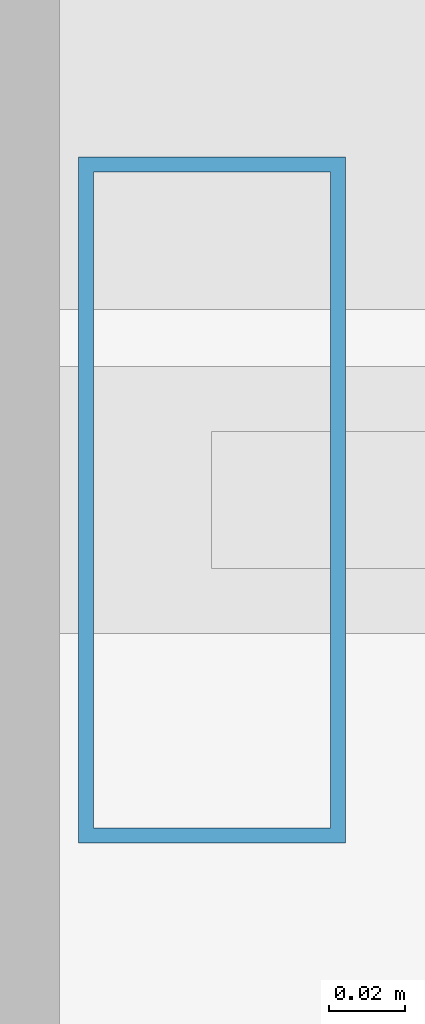
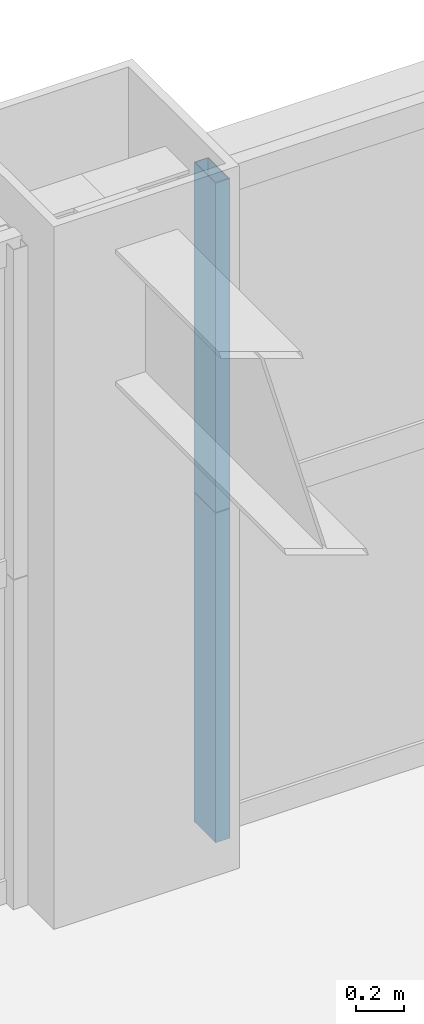
# One storey, part 28 of 41: 2 members, 1 element without a shape of its own.
"""IFC4 building model written with IfcOpenShell, lengths in metres."""

import ifcopenshell
import ifcopenshell.guid

model = None  # the IFC model being written
_history = None  # IfcOwnerHistory: only IFC2X3 demands one
_inside = {}  # id of a spatial element -> (the spatial element, [elements in it])
_under = {}  # id of a project, library or spatial element -> (it, [spatial elements below it])
_declared = {}  # id of a project -> (the project, [libraries it declares])
_typed = {}  # id of a type object -> (the type object, [elements of that type])
_made_of = {}  # id of a material, layer set ... -> (it, [elements and type objects made of it])


def new_model(schema):
    """Start an empty IFC model of exactly this schema.

    Asked for "IFC4X3", IfcOpenShell would pick the latest addendum, in which some entities
    have other attributes; the version numbers below select the first issue.
    IFC2X3 requires an IfcOwnerHistory on every rooted entity: one is made here for all.
    """
    global model, _history
    if schema == "IFC4X3":
        model = ifcopenshell.file(schema_version=(4, 3, 0, 0))
    else:
        model = ifcopenshell.file(schema=schema)
    _inside.clear()
    _under.clear()
    _declared.clear()
    _typed.clear()
    _made_of.clear()
    _history = None
    if model.schema == "IFC2X3":
        org = make("IfcOrganization", Name="unknown")
        user = make(
            "IfcPersonAndOrganization",
            ThePerson=make("IfcPerson", FamilyName="unknown"),
            TheOrganization=org,
        )
        app = make(
            "IfcApplication",
            ApplicationDeveloper=org,
            Version="unknown",
            ApplicationFullName="unknown",
            ApplicationIdentifier="unknown",
        )
        _history = make(
            "IfcOwnerHistory",
            OwningUser=user,
            OwningApplication=app,
            ChangeAction="ADDED",
            CreationDate=0,
        )
    return model


def make(cls, **values):
    """One entity of the class cls with the attributes given. An attribute that is None is left unset."""
    return model.create_entity(
        cls, **{name: value for name, value in values.items() if value is not None}
    )


def rooted(cls, **values):
    """An entity with a GlobalId (a new one), such as an element, a storey or a relation."""
    return make(cls, GlobalId=ifcopenshell.guid.new(), OwnerHistory=_history, **values)


def si_unit(unit_type, name, prefix=None):
    """IfcSIUnit, for example si_unit("LENGTHUNIT", "METRE", prefix="MILLI")."""
    return make("IfcSIUnit", UnitType=unit_type, Prefix=prefix, Name=name)


def assignment(units):
    """IfcUnitAssignment: the units of a project."""
    return None if units is None else make("IfcUnitAssignment", Units=units)


def point(xyz):
    """IfcCartesianPoint."""
    return None if xyz is None else make("IfcCartesianPoint", Coordinates=xyz)


def direction(xyz):
    """IfcDirection."""
    return None if xyz is None else make("IfcDirection", DirectionRatios=xyz)


def frame(location, z_axis=None, x_axis=None):
    """IfcAxis2Placement3D, a coordinate frame: its origin and axes. An axis left out is left unset."""
    return make(
        "IfcAxis2Placement3D",
        Location=point(location),
        Axis=direction(z_axis),
        RefDirection=direction(x_axis),
    )


def frame_2d(location, x_axis=None):
    """IfcAxis2Placement2D, a coordinate frame in the plane: its origin and x axis."""
    return make(
        "IfcAxis2Placement2D", Location=point(location), RefDirection=direction(x_axis)
    )


def origin():
    """The frame at (0, 0, 0) with its axes left unset."""
    return frame((0.0, 0.0, 0.0))


def origin_2d():
    """The frame at (0, 0) in the plane with its x axis left unset."""
    return frame_2d((0.0, 0.0))


def place(relative_to, where):
    """IfcLocalPlacement: puts the frame where relative to a parent placement (None: the world)."""
    return make(
        "IfcLocalPlacement", PlacementRelTo=relative_to, RelativePlacement=where
    )


def context(
    kind, dimensions, precision=None, world=None, true_north=None, identifier=None
):
    """IfcGeometricRepresentationContext, for example the 3D "Model" context."""
    return make(
        "IfcGeometricRepresentationContext",
        ContextIdentifier=identifier,
        ContextType=kind,
        CoordinateSpaceDimension=dimensions,
        Precision=precision,
        WorldCoordinateSystem=world,
        TrueNorth=true_north,
    )


def subcontext(parent, identifier, kind, view, scale=None):
    """IfcGeometricRepresentationSubContext, for example "Body" below "Model"."""
    return make(
        "IfcGeometricRepresentationSubContext",
        ContextIdentifier=identifier,
        ContextType=kind,
        ParentContext=parent,
        TargetScale=scale,
        TargetView=view,
    )


def project(units=None, contexts=None):
    """IfcProject with its units and contexts."""
    return rooted(
        "IfcProject",
        Name="project",
        RepresentationContexts=contexts,
        UnitsInContext=assignment(units),
    )


def spatial(cls, under=None, at=None, **own):
    """A site, building, storey or space (cls), placed at a placement, below another one or the project."""
    s = rooted(cls, ObjectPlacement=at, **own)
    if under is not None:
        _under.setdefault(under.id(), (under, []))[1].append(s)
    return s


def profile(cls, at=None, kind="AREA", **sizes):
    """A parametric profile (cls). Its sizes go by their IFC names, for example OverallWidth=200.0."""
    return make(cls, ProfileType=kind, Position=at, **sizes)


def hollow_rectangle(**sizes):
    """IfcRectangleHollowProfileDef."""
    return profile("IfcRectangleHollowProfileDef", **sizes)


def extrude(swept, where, along, depth):
    """IfcExtrudedAreaSolid: the profile swept, set in the frame where, extruded along a direction by depth."""
    return make(
        "IfcExtrudedAreaSolid",
        SweptArea=swept,
        Position=where,
        ExtrudedDirection=direction(along),
        Depth=depth,
    )


def shape(context_of_items, identifier, shape_type, items):
    """IfcShapeRepresentation: the items that make up one representation, for example the "Body"."""
    return make(
        "IfcShapeRepresentation",
        ContextOfItems=context_of_items,
        RepresentationIdentifier=identifier,
        RepresentationType=shape_type,
        Items=items,
    )


def source(mapping_origin, context_of_items, identifier, shape_type, items):
    """IfcRepresentationMap: a shape defined once, which mapped items show again and again."""
    return make(
        "IfcRepresentationMap",
        MappingOrigin=mapping_origin,
        MappedRepresentation=shape(context_of_items, identifier, shape_type, items),
    )


def transform(
    local_origin,
    x_axis=None,
    y_axis=None,
    z_axis=None,
    scale=None,
    scale2=None,
    scale3=None,
    uniform=True,
):
    """IfcCartesianTransformationOperator3D, or its non-uniform kind. x_axis, y_axis, z_axis: its Axis1, 2, 3."""
    if uniform:
        return make(
            "IfcCartesianTransformationOperator3D",
            Axis1=direction(x_axis),
            Axis2=direction(y_axis),
            LocalOrigin=point(local_origin),
            Scale=scale,
            Axis3=direction(z_axis),
        )
    return make(
        "IfcCartesianTransformationOperator3DnonUniform",
        Axis1=direction(x_axis),
        Axis2=direction(y_axis),
        LocalOrigin=point(local_origin),
        Scale=scale,
        Axis3=direction(z_axis),
        Scale2=scale2,
        Scale3=scale3,
    )


def mapped(mapping_source, mapping_target):
    """IfcMappedItem: shows the shape of a source again, moved by a transform."""
    return make(
        "IfcMappedItem", MappingSource=mapping_source, MappingTarget=mapping_target
    )


def material(Name=None, Category=None):
    """IfcMaterial."""
    return make("IfcMaterial", Name=Name, Category=Category)


def layer(
    of_material, thickness, ventilated=None, Name=None, Category=None, Priority=None
):
    """IfcMaterialLayer: one layer of a wall or slab, of a material (None: an air gap)."""
    return make(
        "IfcMaterialLayer",
        Material=of_material,
        LayerThickness=thickness,
        IsVentilated=ventilated,
        Name=Name,
        Category=Category,
        Priority=Priority,
    )


def layer_set(layers, Name=None):
    """IfcMaterialLayerSet."""
    return make("IfcMaterialLayerSet", MaterialLayers=layers, LayerSetName=Name)


def material_profile(
    of_material, cross_section, Name=None, Category=None, Priority=None
):
    """IfcMaterialProfile: a cross section and its material."""
    return make(
        "IfcMaterialProfile",
        Name=Name,
        Material=of_material,
        Profile=cross_section,
        Priority=Priority,
        Category=Category,
    )


def profile_set(profiles, Name=None, composite=None):
    """IfcMaterialProfileSet."""
    return make(
        "IfcMaterialProfileSet",
        Name=Name,
        MaterialProfiles=profiles,
        CompositeProfile=composite,
    )


def made_of(thing, what):
    """Note that an element or type object is made of a material, layer set ...; save() writes the relation."""
    if what is not None:
        _made_of.setdefault(what.id(), (what, []))[1].append(thing)
    return thing


def type_object(cls, material=None, **own):
    """A type object (cls), such as IfcWallType, which elements share."""
    return made_of(rooted(cls, **own), material)


def element(
    cls,
    number,
    at=None,
    inside=None,
    cuts=None,
    type_object=None,
    material=None,
    context=None,
    identifier="Body",
    shape_type=None,
    held_by="IfcProductDefinitionShape",
    body=None,
    shapes=None,
    **own,
):
    """One element of the class cls, such as IfcWall. Its Tag is "e" and its number.

    at: its placement. inside: the storey or other place that contains it. cuts: it is an
    opening in that element (IfcRelVoidsElement). A single representation is given by context,
    identifier, shape_type and body (its items); several are given by shapes. held_by: the class
    of the entity that holds the representations. save() writes the other relations.
    """
    e = rooted(cls, Tag="e%d" % number, ObjectPlacement=at, **own)
    if body is not None:
        shapes = [shape(context, identifier, shape_type, body)]
    if shapes is not None:
        e.Representation = make(held_by, Representations=shapes)
    if inside is not None:
        _inside.setdefault(inside.id(), (inside, []))[1].append(e)
    if cuts is not None:
        rooted(
            "IfcRelVoidsElement", RelatingBuildingElement=cuts, RelatedOpeningElement=e
        )
    if type_object is not None:
        _typed.setdefault(type_object.id(), (type_object, []))[1].append(e)
    return made_of(e, material)


def aggregate(whole, parts):
    """IfcRelAggregates: a whole, such as a stair, and the parts it consists of."""
    return rooted("IfcRelAggregates", RelatingObject=whole, RelatedObjects=parts)


def save(model, path):
    """Write the relations noted so far, then the file.

    IfcRelAggregates (storeys below a building ...), IfcRelContainedInSpatialStructure (elements
    in a storey), IfcRelDefinesByType, IfcRelAssociatesMaterial and IfcRelDeclares: one each for
    every whole, place, type object, material and project.
    """
    for whole, parts in _under.values():
        aggregate(whole, parts)
    for where, things in _inside.values():
        rooted(
            "IfcRelContainedInSpatialStructure",
            RelatedElements=things,
            RelatingStructure=where,
        )
    for kind, things in _typed.values():
        rooted("IfcRelDefinesByType", RelatedObjects=things, RelatingType=kind)
    for what, things in _made_of.values():
        rooted("IfcRelAssociatesMaterial", RelatedObjects=things, RelatingMaterial=what)
    for by, libraries in _declared.values():
        rooted("IfcRelDeclares", RelatingContext=by, RelatedDefinitions=libraries)
    model.write(path)


model = new_model("IFC4")

# Units and contexts
model_context = context("Model", 3, precision=1e-05, world=origin(), true_north=direction((0.0, 1.0)))
body_context = subcontext(model_context, "Body", "Model", "MODEL_VIEW")
ifc_project = project(units=[si_unit("LENGTHUNIT", "METRE"), si_unit("AREAUNIT", "SQUARE_METRE"), si_unit("VOLUMEUNIT", "CUBIC_METRE"), si_unit("PLANEANGLEUNIT", "RADIAN"), si_unit("MASSUNIT", "GRAM", prefix="KILO"), si_unit("THERMODYNAMICTEMPERATUREUNIT", "KELVIN"), si_unit("POWERUNIT", "WATT")], contexts=[model_context])

# Site, building, storey
site_placement = place(None, origin())
site = spatial("IfcSite", under=ifc_project, at=site_placement, CompositionType="ELEMENT")
building_placement = place(site_placement, origin())
building = spatial("IfcBuilding", under=site, at=building_placement, Name="Yuzanri Waterfront Tower", CompositionType="ELEMENT")
storey_placement = place(building_placement, frame((0.0, 0.0, 115.39990234375)))
storey = spatial("IfcBuildingStorey", under=building, at=storey_placement, Name="L30", CompositionType="ELEMENT", Elevation=115.39990234375)

# Curtain wall, members
ifc_material_1 = material(Name="Anodized Architectural Bronze", Category="metal")
ifc_layer = layer(ifc_material_1, 0.159912109375)
ifc_layer_set = layer_set([ifc_layer], Name="Anodized Architectural Bronze")
curtain_wall_type = type_object("IfcCurtainWallType", Name="Anodized Bronze Hotel Upper-Tier Solar-Control Unitized Curtain Wall 7800", PredefinedType="NOTDEFINED", material=ifc_layer_set)
curtain_wall_placement = place(storey_placement, origin())
curtain_wall = element("IfcCurtainWall", 1, at=curtain_wall_placement, inside=storey, type_object=curtain_wall_type, Name="L30 Curtain Wall CW-L30-NR", PredefinedType="NOTDEFINED")
ifc_material_2 = material(Name="Anodized Architectural Bronze", Category="metal")
ifc_material_profile = material_profile(ifc_material_2, hollow_rectangle(XDim=0.070068359375, YDim=0.179931640625, WallThickness=0.00390625, at=origin_2d()), Name="CWM 70x180")
ifc_profile_set = profile_set([ifc_material_profile], Name="Anodized Architectural Bronze")
member_type = type_object("IfcMemberType", Name="Anodized Bronze Standard Curtain-Wall Mullion 70x180", PredefinedType="MULLION", material=ifc_profile_set)
shared_shape = source(origin(), body_context, "Body", "SweptSolid", [
    extrude(hollow_rectangle(XDim=0.070068359375, YDim=0.179931640625, WallThickness=0.00390625, at=origin_2d()), origin(), (0.0, 0.0, 1.0), 1.68798828125),
])
member_1_placement = place(storey_placement, frame((37.489990234375, 49.25, 0.0), z_axis=(0.0, 0.0, 1.0), x_axis=(1.0, 0.0, 0.0)))
member_1 = element("IfcMember", 2, at=member_1_placement, type_object=member_type, Name="CW-L30-NR Lower Mullion 00", PredefinedType="MULLION", context=body_context, shape_type="MappedRepresentation", body=[
    mapped(shared_shape, transform((0.0, 0.0, 0.0), scale=1.0)),
])
member_2_placement = place(storey_placement, frame((37.489990234375, 49.25, 1.692138671875), z_axis=(0.0, 0.0, 1.0), x_axis=(1.0, 0.0, 0.0)))
member_2 = element("IfcMember", 3, at=member_2_placement, type_object=member_type, Name="CW-L30-NR Upper Mullion 00", PredefinedType="MULLION", context=body_context, shape_type="MappedRepresentation", body=[
    mapped(shared_shape, transform((0.0, 0.0, 0.0), scale=1.0)),
])
aggregate(curtain_wall, [member_1, member_2])

save(model, "model.ifc")
